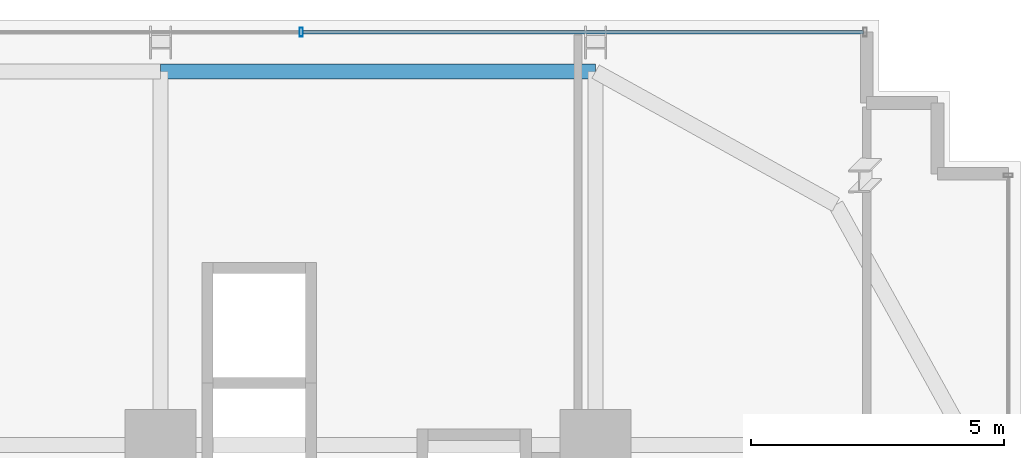
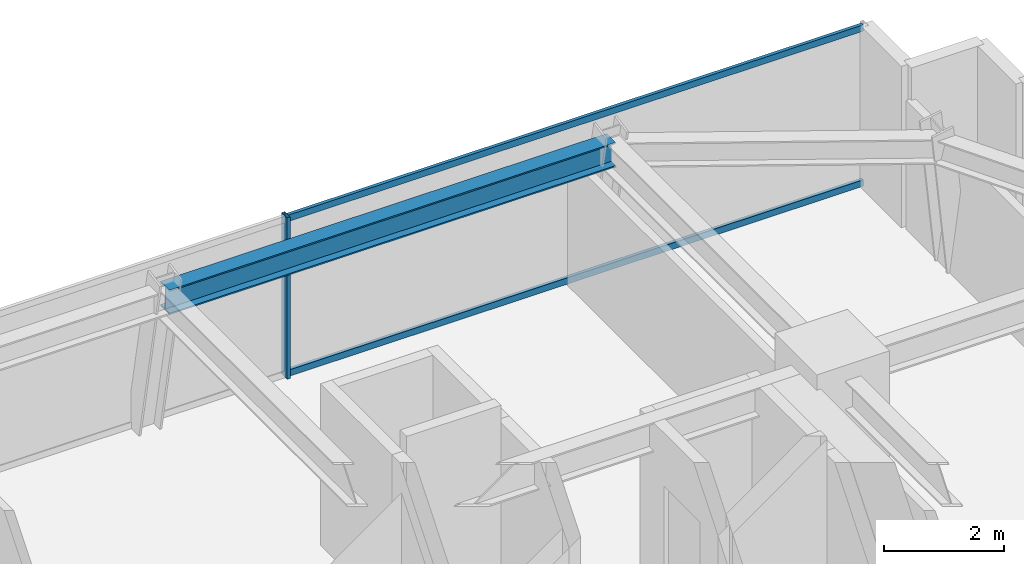
# One storey, part 26 of 35: 3 members, 1 beam, 1 element without a shape of its own.
"""IFC4 building model written with IfcOpenShell, lengths in metres."""

from ifc_helpers import new_model, si_unit, direction, frame, origin, origin_2d, place, context, subcontext, project, spatial, hollow_rectangle, i_section, extrude, source, transform, mapped, material, material_profile, profile_set, type_object, element, aggregate, save


model = new_model("IFC4")

# Units and contexts
model_context = context("Model", 3, precision=1e-05, world=origin(), true_north=direction((0.0, 1.0)))
body_context = subcontext(model_context, "Body", "Model", "MODEL_VIEW")
ifc_project = project(units=[si_unit("LENGTHUNIT", "METRE"), si_unit("AREAUNIT", "SQUARE_METRE"), si_unit("VOLUMEUNIT", "CUBIC_METRE"), si_unit("PLANEANGLEUNIT", "RADIAN"), si_unit("MASSUNIT", "GRAM", prefix="KILO")], contexts=[model_context])

# Site, building, storey
site_placement = place(None, origin())
site = spatial("IfcSite", under=ifc_project, at=site_placement, CompositionType="ELEMENT")
building_placement = place(site_placement, origin())
building = spatial("IfcBuilding", under=site, at=building_placement, Name="Nahalor Promenade Grand Hotel", CompositionType="ELEMENT")
storey_placement = place(building_placement, frame((0.0, 0.0, 79.85009765625)))
storey = spatial("IfcBuildingStorey", under=building, at=storey_placement, Name="L19", CompositionType="ELEMENT", Elevation=79.85009765625)

# Beam
ifc_material_1 = material(Name="Steel S355JR", Category="steel")
ifc_material_profile_1 = material_profile(ifc_material_1, i_section(OverallWidth=0.3, OverallDepth=0.5, WebThickness=0.0145, FlangeThickness=0.028, at=origin_2d()), Name="HEB 500")
ifc_profile_set_1 = profile_set([ifc_material_profile_1], Name="Steel S355JR")
beam_type = type_object("IfcBeamType", Name="Beam-Spandrel-HEB500", PredefinedType="SPANDREL", material=ifc_profile_set_1)
shared_shape_1 = source(origin(), body_context, "Body", "SweptSolid", [
    extrude(i_section(OverallWidth=0.3, OverallDepth=0.5, WebThickness=0.0145, FlangeThickness=0.028, at=origin_2d()), origin(), (0.0, 0.0, 1.0), 8.60009765625),
])
beam_placement = place(storey_placement, frame((8.39990234375, 24.3798828125, 3.039794921875), z_axis=(1.0, 0.0, 0.0), x_axis=(0.0, 1.0, 0.0)))
element("IfcBeam", 1, at=beam_placement, inside=storey, type_object=beam_type, Name="BM-L19-SP-N-4", PredefinedType="SPANDREL", context=body_context, shape_type="MappedRepresentation", body=[
    mapped(shared_shape_1, transform((0.0, 0.0, 0.0), scale=1.0)),
])

# Curtain wall, members
ifc_material_2 = material(Name="Anodised Bronze Aluminium EN AW-6063 T6", Category="aluminium")
curtain_wall_type = type_object("IfcCurtainWallType", Name="CW2 Typical Hotel Flush Bronze Unitised Curtain Wall", PredefinedType="USERDEFINED", material=ifc_material_2)
curtain_wall_placement = place(storey_placement, origin())
curtain_wall = element("IfcCurtainWall", 2, at=curtain_wall_placement, inside=storey, type_object=curtain_wall_type, Name="L19 Curtain Wall CW-L19-N-1", ObjectType="UNITISED_CURTAIN_WALL", PredefinedType="USERDEFINED")
ifc_material_profile_2 = material_profile(ifc_material_2, hollow_rectangle(XDim=0.065, YDim=0.13, WallThickness=0.004, at=origin_2d()), Name="CWT 65x130x4")
ifc_profile_set_2 = profile_set([ifc_material_profile_2], Name="Anodised Bronze Aluminium EN AW-6063 T6")
member_type_1 = type_object("IfcMemberType", Name="CWT2 Typical Bronze Transom 65x130", PredefinedType="USERDEFINED", material=ifc_profile_set_2)
shared_shape_2 = source(origin(), body_context, "Body", "SweptSolid", [
    extrude(hollow_rectangle(XDim=0.065, YDim=0.13, WallThickness=0.004, at=origin_2d()), origin(), (0.0, 0.0, 1.0), 11.08251953125),
])
member_1_placement = place(storey_placement, frame((11.21240234375, 25.159912109375, 0.06494140625), z_axis=(1.0, 0.0, 0.0), x_axis=(0.0, 1.0, 0.0)))
member_1 = element("IfcMember", 3, at=member_1_placement, type_object=member_type_1, Name="CW-L19-N-1 Transom 3-0", ObjectType="TRANSOM", PredefinedType="USERDEFINED", context=body_context, shape_type="MappedRepresentation", body=[
    mapped(shared_shape_2, transform((0.0, 0.0, 0.0), scale=1.0)),
])
member_2_placement = place(storey_placement, frame((11.21240234375, 25.159912109375, 3.224853515625), z_axis=(1.0, 0.0, 0.0), x_axis=(0.0, 1.0, 0.0)))
member_2 = element("IfcMember", 4, at=member_2_placement, type_object=member_type_1, Name="CW-L19-N-1 Transom 3-1", ObjectType="TRANSOM", PredefinedType="USERDEFINED", context=body_context, shape_type="MappedRepresentation", body=[
    mapped(shared_shape_2, transform((0.0, 0.0, 0.0), scale=1.0)),
])
ifc_material_profile_3 = material_profile(ifc_material_2, hollow_rectangle(XDim=0.065, YDim=0.18, WallThickness=0.004, at=origin_2d()), Name="CWM 65x180x4")
ifc_profile_set_3 = profile_set([ifc_material_profile_3], Name="Anodised Bronze Aluminium EN AW-6063 T6")
member_type_2 = type_object("IfcMemberType", Name="CWM2 Typical Bronze Mullion 65x180", PredefinedType="MULLION", material=ifc_profile_set_3)
shared_shape_3 = source(origin(), body_context, "Body", "SweptSolid", [
    extrude(hollow_rectangle(XDim=0.065, YDim=0.18, WallThickness=0.004, at=origin_2d()), origin(), (0.0, 0.0, 1.0), 3.289794921875),
])
member_3_placement = place(storey_placement, frame((11.179931640625, 25.159912109375, 0.0), z_axis=(0.0, 0.0, 1.0), x_axis=(1.0, 0.0, 0.0)))
member_3 = element("IfcMember", 5, at=member_3_placement, type_object=member_type_2, Name="CW-L19-N-1 Mullion 3", PredefinedType="MULLION", context=body_context, shape_type="MappedRepresentation", body=[
    mapped(shared_shape_3, transform((0.0, 0.0, 0.0), scale=1.0)),
])
aggregate(curtain_wall, [member_3, member_1, member_2])

save(model, "model.ifc")
